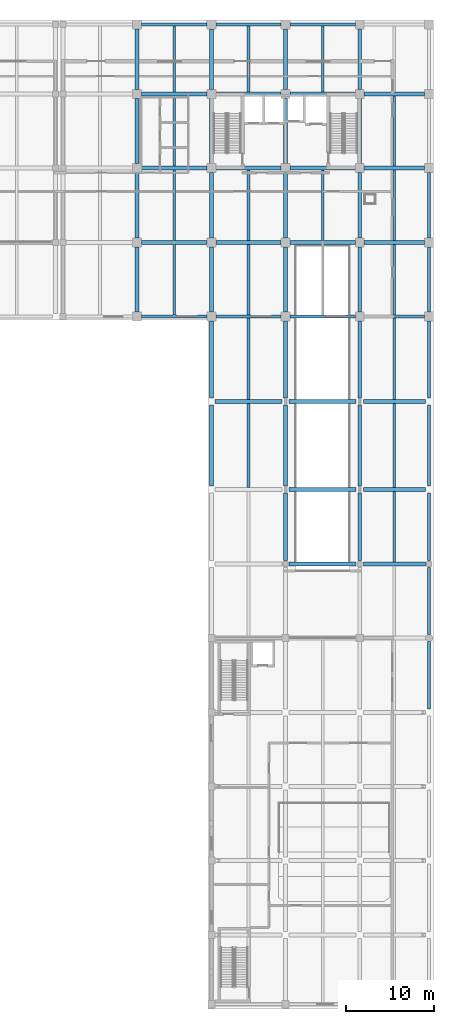
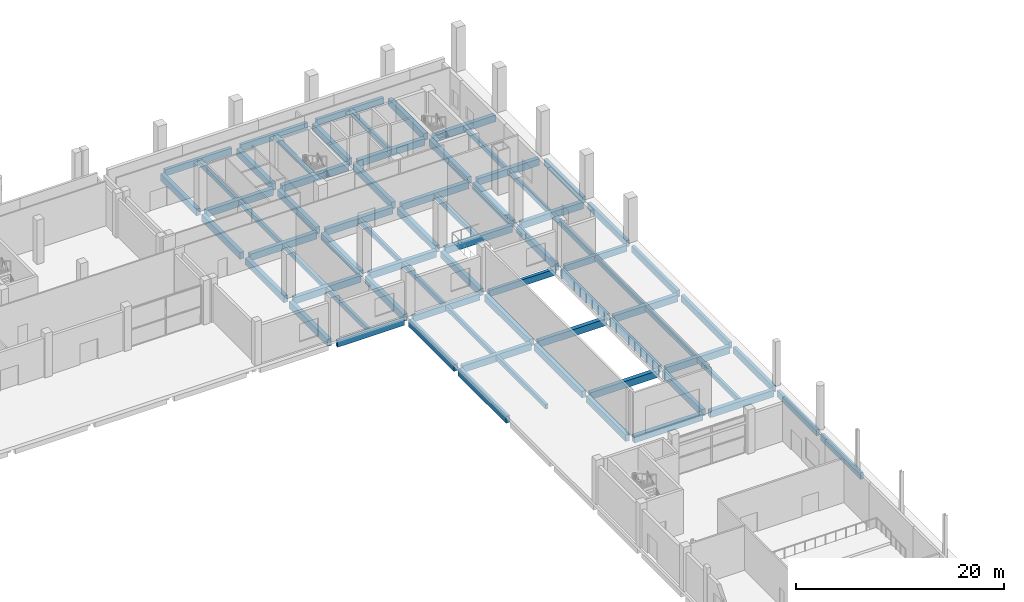
# One storey, part 17 of 34: 74 beams.
"""IFC4 building model written with IfcOpenShell, lengths in metres."""

from ifc_helpers import new_model, si_unit, direction, frame, origin, origin_2d, place, context, subcontext, project, spatial, rectangle, extrude, material, material_profile, profile_set, type_object, element, save


model = new_model("IFC4")

# Units and contexts
model_context = context("Model", 3, precision=1e-05, world=origin(), true_north=direction((0.0, 1.0)))
body_context = subcontext(model_context, "Body", "Model", "MODEL_VIEW")
ifc_project = project(units=[si_unit("LENGTHUNIT", "METRE"), si_unit("AREAUNIT", "SQUARE_METRE"), si_unit("VOLUMEUNIT", "CUBIC_METRE"), si_unit("PLANEANGLEUNIT", "RADIAN"), si_unit("MASSUNIT", "GRAM", prefix="KILO")], contexts=[model_context])

# Site, building, storey
site_placement = place(None, origin())
site = spatial("IfcSite", under=ifc_project, at=site_placement, CompositionType="ELEMENT")
building_placement = place(site_placement, origin())
building = spatial("IfcBuilding", under=site, at=building_placement, Name="Brinegate Botanical Conservatory", CompositionType="ELEMENT")
storey_placement = place(building_placement, origin())
storey = spatial("IfcBuildingStorey", under=building, at=storey_placement, Name="L01", CompositionType="ELEMENT", Elevation=0.0)

# Beams
ifc_material = material(Name="Concrete C40/50", Category="concrete")
ifc_material_profile_1 = material_profile(ifc_material, rectangle(XDim=0.449951171875, YDim=0.800048828125, at=origin_2d()), Name="RC BM 450x800")
ifc_profile_set_1 = profile_set([ifc_material_profile_1], Name="Concrete C40/50")
beam_type_1 = type_object("IfcBeamType", Name="Beam_BM-G1", PredefinedType="BEAM", material=ifc_profile_set_1)
beam_1_placement = place(storey_placement, frame((147.60009765625, 50.39990234375, -0.804931640625), z_axis=(1.0, 0.0, 0.0), x_axis=(0.0, 1.0, 0.0)))
element("IfcBeam", 1, at=beam_1_placement, inside=storey, type_object=beam_type_1, Name="Beam BM-G1 L01 G:19-20", PredefinedType="BEAM", context=body_context, shape_type="SweptSolid", body=[
    extrude(rectangle(XDim=0.449951171875, YDim=0.800048828125, at=origin_2d()), origin(), (0.0, 0.0, 1.0), 7.599853515625),
])
beam_2_placement = place(storey_placement, frame((156.0, 50.39990234375, -0.804931640625), z_axis=(1.0, 0.0, 0.0), x_axis=(0.0, 1.0, 0.0)))
element("IfcBeam", 2, at=beam_2_placement, inside=storey, type_object=beam_type_1, Name="Beam BM-G1 L01 G:20-21", PredefinedType="BEAM", context=body_context, shape_type="SweptSolid", body=[
    extrude(rectangle(XDim=0.449951171875, YDim=0.800048828125, at=origin_2d()), origin(), (0.0, 0.0, 1.0), 7.050048828125),
])
beam_3_placement = place(storey_placement, frame((147.60009765625, 58.800048828125, -0.804931640625), z_axis=(1.0, 0.0, 0.0), x_axis=(0.0, 1.0, 0.0)))
element("IfcBeam", 3, at=beam_3_placement, inside=storey, type_object=beam_type_1, Name="Beam BM-G1 L01 H:19-20", PredefinedType="BEAM", context=body_context, shape_type="SweptSolid", body=[
    extrude(rectangle(XDim=0.449951171875, YDim=0.800048828125, at=origin_2d()), origin(), (0.0, 0.0, 1.0), 7.599853515625),
])
beam_4_placement = place(storey_placement, frame((156.0, 58.800048828125, -0.804931640625), z_axis=(1.0, 0.0, 0.0), x_axis=(0.0, 1.0, 0.0)))
element("IfcBeam", 4, at=beam_4_placement, inside=storey, type_object=beam_type_1, Name="Beam BM-G1 L01 H:20-21", PredefinedType="BEAM", context=body_context, shape_type="SweptSolid", body=[
    extrude(rectangle(XDim=0.449951171875, YDim=0.800048828125, at=origin_2d()), origin(), (0.0, 0.0, 1.0), 7.050048828125),
])
beam_5_placement = place(storey_placement, frame((139.199951171875, 68.800048828125, -0.804931640625), z_axis=(1.0, 0.0, 0.0), x_axis=(0.0, 1.0, 0.0)))
element("IfcBeam", 5, at=beam_5_placement, inside=storey, type_object=beam_type_1, Name="Beam BM-G1 L01 J:18-19", PredefinedType="BEAM", context=body_context, shape_type="SweptSolid", body=[
    extrude(rectangle(XDim=0.449951171875, YDim=0.800048828125, at=origin_2d()), origin(), (0.0, 0.0, 1.0), 7.60009765625),
])
beam_6_placement = place(storey_placement, frame((147.60009765625, 68.800048828125, -0.804931640625), z_axis=(1.0, 0.0, 0.0), x_axis=(0.0, 1.0, 0.0)))
element("IfcBeam", 6, at=beam_6_placement, inside=storey, type_object=beam_type_1, Name="Beam BM-G1 L01 J:19-20", PredefinedType="BEAM", context=body_context, shape_type="SweptSolid", body=[
    extrude(rectangle(XDim=0.449951171875, YDim=0.800048828125, at=origin_2d()), origin(), (0.0, 0.0, 1.0), 7.599853515625),
])
beam_7_placement = place(storey_placement, frame((156.0, 68.800048828125, -0.804931640625), z_axis=(1.0, 0.0, 0.0), x_axis=(0.0, 1.0, 0.0)))
element("IfcBeam", 7, at=beam_7_placement, inside=storey, type_object=beam_type_1, Name="Beam BM-G1 L01 J:20-21", PredefinedType="BEAM", context=body_context, shape_type="SweptSolid", body=[
    extrude(rectangle(XDim=0.449951171875, YDim=0.800048828125, at=origin_2d()), origin(), (0.0, 0.0, 1.0), 7.050048828125),
])
beam_8_placement = place(storey_placement, frame((130.89990234375, 86.800048828125, -0.804931640625), z_axis=(1.0, 0.0, 0.0), x_axis=(0.0, 1.0, 0.0)))
element("IfcBeam", 8, at=beam_8_placement, inside=storey, type_object=beam_type_1, Name="Beam BM-G1 L01 L:17-18", PredefinedType="BEAM", context=body_context, shape_type="SweptSolid", body=[
    extrude(rectangle(XDim=0.449951171875, YDim=0.800048828125, at=origin_2d()), origin(), (0.0, 0.0, 1.0), 7.400146484375),
])
beam_9_placement = place(storey_placement, frame((139.300048828125, 86.800048828125, -0.804931640625), z_axis=(1.0, 0.0, 0.0), x_axis=(0.0, 1.0, 0.0)))
element("IfcBeam", 9, at=beam_9_placement, inside=storey, type_object=beam_type_1, Name="Beam BM-G1 L01 L:18-19", PredefinedType="BEAM", context=body_context, shape_type="SweptSolid", body=[
    extrude(rectangle(XDim=0.449951171875, YDim=0.800048828125, at=origin_2d()), origin(), (0.0, 0.0, 1.0), 7.39990234375),
])
beam_10_placement = place(storey_placement, frame((147.699951171875, 86.800048828125, -0.804931640625), z_axis=(1.0, 0.0, 0.0), x_axis=(0.0, 1.0, 0.0)))
element("IfcBeam", 10, at=beam_10_placement, inside=storey, type_object=beam_type_1, Name="Beam BM-G1 L01 L:19-20", PredefinedType="BEAM", context=body_context, shape_type="SweptSolid", body=[
    extrude(rectangle(XDim=0.449951171875, YDim=0.800048828125, at=origin_2d()), origin(), (0.0, 0.0, 1.0), 7.400146484375),
])
beam_11_placement = place(storey_placement, frame((156.10009765625, 86.800048828125, -0.804931640625), z_axis=(1.0, 0.0, 0.0), x_axis=(0.0, 1.0, 0.0)))
element("IfcBeam", 11, at=beam_11_placement, inside=storey, type_object=beam_type_1, Name="Beam BM-G1 L01 L:20-21", PredefinedType="BEAM", context=body_context, shape_type="SweptSolid", body=[
    extrude(rectangle(XDim=0.449951171875, YDim=0.800048828125, at=origin_2d()), origin(), (0.0, 0.0, 1.0), 6.849853515625),
])
beam_12_placement = place(storey_placement, frame((130.89990234375, 95.199951171875, -0.804931640625), z_axis=(1.0, 0.0, 0.0), x_axis=(0.0, 1.0, 0.0)))
element("IfcBeam", 12, at=beam_12_placement, inside=storey, type_object=beam_type_1, Name="Beam BM-G1 L01 M:17-18", PredefinedType="BEAM", context=body_context, shape_type="SweptSolid", body=[
    extrude(rectangle(XDim=0.449951171875, YDim=0.800048828125, at=origin_2d()), origin(), (0.0, 0.0, 1.0), 7.400146484375),
])
beam_13_placement = place(storey_placement, frame((139.300048828125, 95.199951171875, -0.804931640625), z_axis=(1.0, 0.0, 0.0), x_axis=(0.0, 1.0, 0.0)))
element("IfcBeam", 13, at=beam_13_placement, inside=storey, type_object=beam_type_1, Name="Beam BM-G1 L01 M:18-19", PredefinedType="BEAM", context=body_context, shape_type="SweptSolid", body=[
    extrude(rectangle(XDim=0.449951171875, YDim=0.800048828125, at=origin_2d()), origin(), (0.0, 0.0, 1.0), 7.39990234375),
])
beam_14_placement = place(storey_placement, frame((147.699951171875, 95.199951171875, -0.804931640625), z_axis=(1.0, 0.0, 0.0), x_axis=(0.0, 1.0, 0.0)))
element("IfcBeam", 14, at=beam_14_placement, inside=storey, type_object=beam_type_1, Name="Beam BM-G1 L01 M:19-20", PredefinedType="BEAM", context=body_context, shape_type="SweptSolid", body=[
    extrude(rectangle(XDim=0.449951171875, YDim=0.800048828125, at=origin_2d()), origin(), (0.0, 0.0, 1.0), 7.400146484375),
])
beam_15_placement = place(storey_placement, frame((156.10009765625, 95.199951171875, -0.804931640625), z_axis=(1.0, 0.0, 0.0), x_axis=(0.0, 1.0, 0.0)))
element("IfcBeam", 15, at=beam_15_placement, inside=storey, type_object=beam_type_1, Name="Beam BM-G1 L01 M:20-21", PredefinedType="BEAM", context=body_context, shape_type="SweptSolid", body=[
    extrude(rectangle(XDim=0.449951171875, YDim=0.800048828125, at=origin_2d()), origin(), (0.0, 0.0, 1.0), 6.849853515625),
])
beam_16_placement = place(storey_placement, frame((130.89990234375, 103.60009765625, -0.804931640625), z_axis=(1.0, 0.0, 0.0), x_axis=(0.0, 1.0, 0.0)))
element("IfcBeam", 16, at=beam_16_placement, inside=storey, type_object=beam_type_1, Name="Beam BM-G1 L01 N:17-18", PredefinedType="BEAM", context=body_context, shape_type="SweptSolid", body=[
    extrude(rectangle(XDim=0.449951171875, YDim=0.800048828125, at=origin_2d()), origin(), (0.0, 0.0, 1.0), 7.400146484375),
])
beam_17_placement = place(storey_placement, frame((139.300048828125, 103.60009765625, -0.804931640625), z_axis=(1.0, 0.0, 0.0), x_axis=(0.0, 1.0, 0.0)))
element("IfcBeam", 17, at=beam_17_placement, inside=storey, type_object=beam_type_1, Name="Beam BM-G1 L01 N:18-19", PredefinedType="BEAM", context=body_context, shape_type="SweptSolid", body=[
    extrude(rectangle(XDim=0.449951171875, YDim=0.800048828125, at=origin_2d()), origin(), (0.0, 0.0, 1.0), 7.39990234375),
])
beam_18_placement = place(storey_placement, frame((147.699951171875, 103.60009765625, -0.804931640625), z_axis=(1.0, 0.0, 0.0), x_axis=(0.0, 1.0, 0.0)))
element("IfcBeam", 18, at=beam_18_placement, inside=storey, type_object=beam_type_1, Name="Beam BM-G1 L01 N:19-20", PredefinedType="BEAM", context=body_context, shape_type="SweptSolid", body=[
    extrude(rectangle(XDim=0.449951171875, YDim=0.800048828125, at=origin_2d()), origin(), (0.0, 0.0, 1.0), 7.400146484375),
])
beam_19_placement = place(storey_placement, frame((156.10009765625, 103.60009765625, -0.804931640625), z_axis=(1.0, 0.0, 0.0), x_axis=(0.0, 1.0, 0.0)))
element("IfcBeam", 19, at=beam_19_placement, inside=storey, type_object=beam_type_1, Name="Beam BM-G1 L01 N:20-21", PredefinedType="BEAM", context=body_context, shape_type="SweptSolid", body=[
    extrude(rectangle(XDim=0.449951171875, YDim=0.800048828125, at=origin_2d()), origin(), (0.0, 0.0, 1.0), 6.849853515625),
])
beam_20_placement = place(storey_placement, frame((130.39990234375, 78.89990234375, -0.804931640625), z_axis=(0.0, 1.0, 0.0), x_axis=(-1.0, 0.0, 0.0)))
element("IfcBeam", 20, at=beam_20_placement, inside=storey, type_object=beam_type_1, Name="Beam BM-G1 L01 17:K-L", PredefinedType="BEAM", context=body_context, shape_type="SweptSolid", body=[
    extrude(rectangle(XDim=0.449951171875, YDim=0.800048828125, at=origin_2d()), origin(), (0.0, 0.0, 1.0), 7.400146484375),
])
beam_21_placement = place(storey_placement, frame((130.39990234375, 87.300048828125, -0.804931640625), z_axis=(0.0, 1.0, 0.0), x_axis=(-1.0, 0.0, 0.0)))
element("IfcBeam", 21, at=beam_21_placement, inside=storey, type_object=beam_type_1, Name="Beam BM-G1 L01 17:L-M", PredefinedType="BEAM", context=body_context, shape_type="SweptSolid", body=[
    extrude(rectangle(XDim=0.449951171875, YDim=0.800048828125, at=origin_2d()), origin(), (0.0, 0.0, 1.0), 7.39990234375),
])
beam_22_placement = place(storey_placement, frame((130.39990234375, 95.699951171875, -0.804931640625), z_axis=(0.0, 1.0, 0.0), x_axis=(-1.0, 0.0, 0.0)))
element("IfcBeam", 22, at=beam_22_placement, inside=storey, type_object=beam_type_1, Name="Beam BM-G1 L01 17:M-N", PredefinedType="BEAM", context=body_context, shape_type="SweptSolid", body=[
    extrude(rectangle(XDim=0.449951171875, YDim=0.800048828125, at=origin_2d()), origin(), (0.0, 0.0, 1.0), 7.400146484375),
])
beam_23_placement = place(storey_placement, frame((130.39990234375, 104.10009765625, -0.804931640625), z_axis=(0.0, 1.0, 0.0), x_axis=(-1.0, 0.0, 0.0)))
element("IfcBeam", 23, at=beam_23_placement, inside=storey, type_object=beam_type_1, Name="Beam BM-G1 L01 17:N-P", PredefinedType="BEAM", context=body_context, shape_type="SweptSolid", body=[
    extrude(rectangle(XDim=0.449951171875, YDim=0.800048828125, at=origin_2d()), origin(), (0.0, 0.0, 1.0), 6.849853515625),
])
beam_24_placement = place(storey_placement, frame((138.800048828125, 59.199951171875, -0.804931640625), z_axis=(0.0, 1.0, 0.0), x_axis=(-1.0, 0.0, 0.0)))
element("IfcBeam", 24, at=beam_24_placement, inside=storey, type_object=beam_type_1, Name="Beam BM-G1 L01 18:H-J", PredefinedType="BEAM", context=body_context, shape_type="SweptSolid", body=[
    extrude(rectangle(XDim=0.449951171875, YDim=0.800048828125, at=origin_2d()), origin(), (0.0, 0.0, 1.0), 9.199951171875),
])
beam_25_placement = place(storey_placement, frame((138.800048828125, 69.199951171875, -0.804931640625), z_axis=(0.0, 1.0, 0.0), x_axis=(-1.0, 0.0, 0.0)))
element("IfcBeam", 25, at=beam_25_placement, inside=storey, type_object=beam_type_1, Name="Beam BM-G1 L01 18:J-K", PredefinedType="BEAM", context=body_context, shape_type="SweptSolid", body=[
    extrude(rectangle(XDim=0.449951171875, YDim=0.800048828125, at=origin_2d()), origin(), (0.0, 0.0, 1.0), 8.699951171875),
])
beam_26_placement = place(storey_placement, frame((138.800048828125, 78.89990234375, -0.804931640625), z_axis=(0.0, 1.0, 0.0), x_axis=(-1.0, 0.0, 0.0)))
element("IfcBeam", 26, at=beam_26_placement, inside=storey, type_object=beam_type_1, Name="Beam BM-G1 L01 18:K-L", PredefinedType="BEAM", context=body_context, shape_type="SweptSolid", body=[
    extrude(rectangle(XDim=0.449951171875, YDim=0.800048828125, at=origin_2d()), origin(), (0.0, 0.0, 1.0), 7.400146484375),
])
beam_27_placement = place(storey_placement, frame((138.800048828125, 87.300048828125, -0.804931640625), z_axis=(0.0, 1.0, 0.0), x_axis=(-1.0, 0.0, 0.0)))
element("IfcBeam", 27, at=beam_27_placement, inside=storey, type_object=beam_type_1, Name="Beam BM-G1 L01 18:L-M", PredefinedType="BEAM", context=body_context, shape_type="SweptSolid", body=[
    extrude(rectangle(XDim=0.449951171875, YDim=0.800048828125, at=origin_2d()), origin(), (0.0, 0.0, 1.0), 7.39990234375),
])
beam_28_placement = place(storey_placement, frame((138.800048828125, 95.699951171875, -0.804931640625), z_axis=(0.0, 1.0, 0.0), x_axis=(-1.0, 0.0, 0.0)))
element("IfcBeam", 28, at=beam_28_placement, inside=storey, type_object=beam_type_1, Name="Beam BM-G1 L01 18:M-N", PredefinedType="BEAM", context=body_context, shape_type="SweptSolid", body=[
    extrude(rectangle(XDim=0.449951171875, YDim=0.800048828125, at=origin_2d()), origin(), (0.0, 0.0, 1.0), 7.400146484375),
])
beam_29_placement = place(storey_placement, frame((138.800048828125, 104.10009765625, -0.804931640625), z_axis=(0.0, 1.0, 0.0), x_axis=(-1.0, 0.0, 0.0)))
element("IfcBeam", 29, at=beam_29_placement, inside=storey, type_object=beam_type_1, Name="Beam BM-G1 L01 18:N-P", PredefinedType="BEAM", context=body_context, shape_type="SweptSolid", body=[
    extrude(rectangle(XDim=0.449951171875, YDim=0.800048828125, at=origin_2d()), origin(), (0.0, 0.0, 1.0), 6.849853515625),
])
beam_30_placement = place(storey_placement, frame((147.199951171875, 50.800048828125, -0.804931640625), z_axis=(0.0, 1.0, 0.0), x_axis=(-1.0, 0.0, 0.0)))
element("IfcBeam", 30, at=beam_30_placement, inside=storey, type_object=beam_type_1, Name="Beam BM-G1 L01 19:G-H", PredefinedType="BEAM", context=body_context, shape_type="SweptSolid", body=[
    extrude(rectangle(XDim=0.449951171875, YDim=0.800048828125, at=origin_2d()), origin(), (0.0, 0.0, 1.0), 7.599853515625),
])
beam_31_placement = place(storey_placement, frame((147.199951171875, 59.199951171875, -0.804931640625), z_axis=(0.0, 1.0, 0.0), x_axis=(-1.0, 0.0, 0.0)))
element("IfcBeam", 31, at=beam_31_placement, inside=storey, type_object=beam_type_1, Name="Beam BM-G1 L01 19:H-J", PredefinedType="BEAM", context=body_context, shape_type="SweptSolid", body=[
    extrude(rectangle(XDim=0.449951171875, YDim=0.800048828125, at=origin_2d()), origin(), (0.0, 0.0, 1.0), 9.199951171875),
])
beam_32_placement = place(storey_placement, frame((147.199951171875, 69.199951171875, -0.804931640625), z_axis=(0.0, 1.0, 0.0), x_axis=(-1.0, 0.0, 0.0)))
element("IfcBeam", 32, at=beam_32_placement, inside=storey, type_object=beam_type_1, Name="Beam BM-G1 L01 19:J-K", PredefinedType="BEAM", context=body_context, shape_type="SweptSolid", body=[
    extrude(rectangle(XDim=0.449951171875, YDim=0.800048828125, at=origin_2d()), origin(), (0.0, 0.0, 1.0), 8.699951171875),
])
beam_33_placement = place(storey_placement, frame((147.199951171875, 78.89990234375, -0.804931640625), z_axis=(0.0, 1.0, 0.0), x_axis=(-1.0, 0.0, 0.0)))
element("IfcBeam", 33, at=beam_33_placement, inside=storey, type_object=beam_type_1, Name="Beam BM-G1 L01 19:K-L", PredefinedType="BEAM", context=body_context, shape_type="SweptSolid", body=[
    extrude(rectangle(XDim=0.449951171875, YDim=0.800048828125, at=origin_2d()), origin(), (0.0, 0.0, 1.0), 7.400146484375),
])
beam_34_placement = place(storey_placement, frame((147.199951171875, 87.300048828125, -0.804931640625), z_axis=(0.0, 1.0, 0.0), x_axis=(-1.0, 0.0, 0.0)))
element("IfcBeam", 34, at=beam_34_placement, inside=storey, type_object=beam_type_1, Name="Beam BM-G1 L01 19:L-M", PredefinedType="BEAM", context=body_context, shape_type="SweptSolid", body=[
    extrude(rectangle(XDim=0.449951171875, YDim=0.800048828125, at=origin_2d()), origin(), (0.0, 0.0, 1.0), 7.39990234375),
])
beam_35_placement = place(storey_placement, frame((147.199951171875, 95.699951171875, -0.804931640625), z_axis=(0.0, 1.0, 0.0), x_axis=(-1.0, 0.0, 0.0)))
element("IfcBeam", 35, at=beam_35_placement, inside=storey, type_object=beam_type_1, Name="Beam BM-G1 L01 19:M-N", PredefinedType="BEAM", context=body_context, shape_type="SweptSolid", body=[
    extrude(rectangle(XDim=0.449951171875, YDim=0.800048828125, at=origin_2d()), origin(), (0.0, 0.0, 1.0), 7.400146484375),
])
beam_36_placement = place(storey_placement, frame((147.199951171875, 104.10009765625, -0.804931640625), z_axis=(0.0, 1.0, 0.0), x_axis=(-1.0, 0.0, 0.0)))
element("IfcBeam", 36, at=beam_36_placement, inside=storey, type_object=beam_type_1, Name="Beam BM-G1 L01 19:N-P", PredefinedType="BEAM", context=body_context, shape_type="SweptSolid", body=[
    extrude(rectangle(XDim=0.449951171875, YDim=0.800048828125, at=origin_2d()), origin(), (0.0, 0.0, 1.0), 6.849853515625),
])
beam_37_placement = place(storey_placement, frame((155.60009765625, 50.800048828125, -0.804931640625), z_axis=(0.0, 1.0, 0.0), x_axis=(-1.0, 0.0, 0.0)))
element("IfcBeam", 37, at=beam_37_placement, inside=storey, type_object=beam_type_1, Name="Beam BM-G1 L01 20:G-H", PredefinedType="BEAM", context=body_context, shape_type="SweptSolid", body=[
    extrude(rectangle(XDim=0.449951171875, YDim=0.800048828125, at=origin_2d()), origin(), (0.0, 0.0, 1.0), 7.599853515625),
])
beam_38_placement = place(storey_placement, frame((155.60009765625, 59.199951171875, -0.804931640625), z_axis=(0.0, 1.0, 0.0), x_axis=(-1.0, 0.0, 0.0)))
element("IfcBeam", 38, at=beam_38_placement, inside=storey, type_object=beam_type_1, Name="Beam BM-G1 L01 20:H-J", PredefinedType="BEAM", context=body_context, shape_type="SweptSolid", body=[
    extrude(rectangle(XDim=0.449951171875, YDim=0.800048828125, at=origin_2d()), origin(), (0.0, 0.0, 1.0), 9.199951171875),
])
beam_39_placement = place(storey_placement, frame((155.60009765625, 69.199951171875, -0.804931640625), z_axis=(0.0, 1.0, 0.0), x_axis=(-1.0, 0.0, 0.0)))
element("IfcBeam", 39, at=beam_39_placement, inside=storey, type_object=beam_type_1, Name="Beam BM-G1 L01 20:J-K", PredefinedType="BEAM", context=body_context, shape_type="SweptSolid", body=[
    extrude(rectangle(XDim=0.449951171875, YDim=0.800048828125, at=origin_2d()), origin(), (0.0, 0.0, 1.0), 8.699951171875),
])
beam_40_placement = place(storey_placement, frame((155.60009765625, 78.89990234375, -0.804931640625), z_axis=(0.0, 1.0, 0.0), x_axis=(-1.0, 0.0, 0.0)))
element("IfcBeam", 40, at=beam_40_placement, inside=storey, type_object=beam_type_1, Name="Beam BM-G1 L01 20:K-L", PredefinedType="BEAM", context=body_context, shape_type="SweptSolid", body=[
    extrude(rectangle(XDim=0.449951171875, YDim=0.800048828125, at=origin_2d()), origin(), (0.0, 0.0, 1.0), 7.400146484375),
])
beam_41_placement = place(storey_placement, frame((155.60009765625, 87.300048828125, -0.804931640625), z_axis=(0.0, 1.0, 0.0), x_axis=(-1.0, 0.0, 0.0)))
element("IfcBeam", 41, at=beam_41_placement, inside=storey, type_object=beam_type_1, Name="Beam BM-G1 L01 20:L-M", PredefinedType="BEAM", context=body_context, shape_type="SweptSolid", body=[
    extrude(rectangle(XDim=0.449951171875, YDim=0.800048828125, at=origin_2d()), origin(), (0.0, 0.0, 1.0), 7.39990234375),
])
beam_42_placement = place(storey_placement, frame((155.60009765625, 95.699951171875, -0.804931640625), z_axis=(0.0, 1.0, 0.0), x_axis=(-1.0, 0.0, 0.0)))
element("IfcBeam", 42, at=beam_42_placement, inside=storey, type_object=beam_type_1, Name="Beam BM-G1 L01 20:M-N", PredefinedType="BEAM", context=body_context, shape_type="SweptSolid", body=[
    extrude(rectangle(XDim=0.449951171875, YDim=0.800048828125, at=origin_2d()), origin(), (0.0, 0.0, 1.0), 7.400146484375),
])
beam_43_placement = place(storey_placement, frame((155.60009765625, 104.10009765625, -0.804931640625), z_axis=(0.0, 1.0, 0.0), x_axis=(-1.0, 0.0, 0.0)))
element("IfcBeam", 43, at=beam_43_placement, inside=storey, type_object=beam_type_1, Name="Beam BM-G1 L01 20:N-P", PredefinedType="BEAM", context=body_context, shape_type="SweptSolid", body=[
    extrude(rectangle(XDim=0.449951171875, YDim=0.800048828125, at=origin_2d()), origin(), (0.0, 0.0, 1.0), 6.849853515625),
])
ifc_material_profile_2 = material_profile(ifc_material, rectangle(XDim=0.300048828125, YDim=0.550048828125, at=origin_2d()), Name="RC JST 300x550")
ifc_profile_set_2 = profile_set([ifc_material_profile_2], Name="Concrete C40/50")
beam_type_2 = type_object("IfcBeamType", Name="Beam_JS-C1", PredefinedType="JOIST", material=ifc_profile_set_2)
beam_44_placement = place(storey_placement, frame((134.60009765625, 78.574951171875, -0.679931640625), z_axis=(0.0, 1.0, 0.0), x_axis=(-1.0, 0.0, 0.0)))
element("IfcBeam", 44, at=beam_44_placement, inside=storey, type_object=beam_type_2, Name="Floor joist JS-C1 L01 bay 17.10", PredefinedType="JOIST", context=body_context, shape_type="SweptSolid", body=[
    extrude(rectangle(XDim=0.300048828125, YDim=0.550048828125, at=origin_2d()), origin(), (0.0, 0.0, 1.0), 8.0),
])
beam_45_placement = place(storey_placement, frame((134.60009765625, 87.02490234375, -0.679931640625), z_axis=(0.0, 1.0, 0.0), x_axis=(-1.0, 0.0, 0.0)))
element("IfcBeam", 45, at=beam_45_placement, inside=storey, type_object=beam_type_2, Name="Floor joist JS-C1 L01 bay 17.11", PredefinedType="JOIST", context=body_context, shape_type="SweptSolid", body=[
    extrude(rectangle(XDim=0.300048828125, YDim=0.550048828125, at=origin_2d()), origin(), (0.0, 0.0, 1.0), 7.9501953125),
])
beam_46_placement = place(storey_placement, frame((134.60009765625, 95.425048828125, -0.679931640625), z_axis=(0.0, 1.0, 0.0), x_axis=(-1.0, 0.0, 0.0)))
element("IfcBeam", 46, at=beam_46_placement, inside=storey, type_object=beam_type_2, Name="Floor joist JS-C1 L01 bay 17.12", PredefinedType="JOIST", context=body_context, shape_type="SweptSolid", body=[
    extrude(rectangle(XDim=0.300048828125, YDim=0.550048828125, at=origin_2d()), origin(), (0.0, 0.0, 1.0), 7.949951171875),
])
beam_47_placement = place(storey_placement, frame((134.60009765625, 103.824951171875, -0.679931640625), z_axis=(0.0, 1.0, 0.0), x_axis=(-1.0, 0.0, 0.0)))
element("IfcBeam", 47, at=beam_47_placement, inside=storey, type_object=beam_type_2, Name="Floor joist JS-C1 L01 bay 17.13", PredefinedType="JOIST", context=body_context, shape_type="SweptSolid", body=[
    extrude(rectangle(XDim=0.300048828125, YDim=0.550048828125, at=origin_2d()), origin(), (0.0, 0.0, 1.0), 7.449951171875),
])
beam_48_placement = place(storey_placement, frame((143.0, 59.02490234375, -0.679931640625), z_axis=(0.0, 1.0, 0.0), x_axis=(-1.0, 0.0, 0.0)))
element("IfcBeam", 48, at=beam_48_placement, inside=storey, type_object=beam_type_2, Name="Floor joist JS-C1 L01 bay 18.8", PredefinedType="JOIST", context=body_context, shape_type="SweptSolid", body=[
    extrude(rectangle(XDim=0.300048828125, YDim=0.550048828125, at=origin_2d()), origin(), (0.0, 0.0, 1.0), 9.550048828125),
])
beam_49_placement = place(storey_placement, frame((143.0, 69.02490234375, -0.679931640625), z_axis=(0.0, 1.0, 0.0), x_axis=(-1.0, 0.0, 0.0)))
element("IfcBeam", 49, at=beam_49_placement, inside=storey, type_object=beam_type_2, Name="Floor joist JS-C1 L01 bay 18.9", PredefinedType="JOIST", context=body_context, shape_type="SweptSolid", body=[
    extrude(rectangle(XDim=0.300048828125, YDim=0.550048828125, at=origin_2d()), origin(), (0.0, 0.0, 1.0), 9.2001953125),
])
beam_50_placement = place(storey_placement, frame((143.0, 78.574951171875, -0.679931640625), z_axis=(0.0, 1.0, 0.0), x_axis=(-1.0, 0.0, 0.0)))
element("IfcBeam", 50, at=beam_50_placement, inside=storey, type_object=beam_type_2, Name="Floor joist JS-C1 L01 bay 18.10", PredefinedType="JOIST", context=body_context, shape_type="SweptSolid", body=[
    extrude(rectangle(XDim=0.300048828125, YDim=0.550048828125, at=origin_2d()), origin(), (0.0, 0.0, 1.0), 8.0),
])
beam_51_placement = place(storey_placement, frame((143.0, 87.02490234375, -0.679931640625), z_axis=(0.0, 1.0, 0.0), x_axis=(-1.0, 0.0, 0.0)))
element("IfcBeam", 51, at=beam_51_placement, inside=storey, type_object=beam_type_2, Name="Floor joist JS-C1 L01 bay 18.11", PredefinedType="JOIST", context=body_context, shape_type="SweptSolid", body=[
    extrude(rectangle(XDim=0.300048828125, YDim=0.550048828125, at=origin_2d()), origin(), (0.0, 0.0, 1.0), 7.9501953125),
])
beam_52_placement = place(storey_placement, frame((143.0, 103.824951171875, -0.679931640625), z_axis=(0.0, 1.0, 0.0), x_axis=(-1.0, 0.0, 0.0)))
element("IfcBeam", 52, at=beam_52_placement, inside=storey, type_object=beam_type_2, Name="Floor joist JS-C1 L01 bay 18.13", PredefinedType="JOIST", context=body_context, shape_type="SweptSolid", body=[
    extrude(rectangle(XDim=0.300048828125, YDim=0.550048828125, at=origin_2d()), origin(), (0.0, 0.0, 1.0), 7.449951171875),
])
beam_53_placement = place(storey_placement, frame((151.39990234375, 87.02490234375, -0.679931640625), z_axis=(0.0, 1.0, 0.0), x_axis=(-1.0, 0.0, 0.0)))
element("IfcBeam", 53, at=beam_53_placement, inside=storey, type_object=beam_type_2, Name="Floor joist JS-C1 L01 bay 19.11", PredefinedType="JOIST", context=body_context, shape_type="SweptSolid", body=[
    extrude(rectangle(XDim=0.300048828125, YDim=0.550048828125, at=origin_2d()), origin(), (0.0, 0.0, 1.0), 7.9501953125),
])
beam_54_placement = place(storey_placement, frame((151.39990234375, 103.824951171875, -0.679931640625), z_axis=(0.0, 1.0, 0.0), x_axis=(-1.0, 0.0, 0.0)))
element("IfcBeam", 54, at=beam_54_placement, inside=storey, type_object=beam_type_2, Name="Floor joist JS-C1 L01 bay 19.13", PredefinedType="JOIST", context=body_context, shape_type="SweptSolid", body=[
    extrude(rectangle(XDim=0.300048828125, YDim=0.550048828125, at=origin_2d()), origin(), (0.0, 0.0, 1.0), 7.449951171875),
])
beam_55_placement = place(storey_placement, frame((159.52490234375, 50.625, -0.679931640625), z_axis=(0.0, 1.0, 0.0), x_axis=(-1.0, 0.0, 0.0)))
element("IfcBeam", 55, at=beam_55_placement, inside=storey, type_object=beam_type_2, Name="Floor joist JS-C1 L01 bay 20.7", PredefinedType="JOIST", context=body_context, shape_type="SweptSolid", body=[
    extrude(rectangle(XDim=0.300048828125, YDim=0.550048828125, at=origin_2d()), origin(), (0.0, 0.0, 1.0), 7.949951171875),
])
beam_56_placement = place(storey_placement, frame((159.52490234375, 59.02490234375, -0.679931640625), z_axis=(0.0, 1.0, 0.0), x_axis=(-1.0, 0.0, 0.0)))
element("IfcBeam", 56, at=beam_56_placement, inside=storey, type_object=beam_type_2, Name="Floor joist JS-C1 L01 bay 20.8", PredefinedType="JOIST", context=body_context, shape_type="SweptSolid", body=[
    extrude(rectangle(XDim=0.300048828125, YDim=0.550048828125, at=origin_2d()), origin(), (0.0, 0.0, 1.0), 9.550048828125),
])
beam_57_placement = place(storey_placement, frame((159.52490234375, 69.02490234375, -0.679931640625), z_axis=(0.0, 1.0, 0.0), x_axis=(-1.0, 0.0, 0.0)))
element("IfcBeam", 57, at=beam_57_placement, inside=storey, type_object=beam_type_2, Name="Floor joist JS-C1 L01 bay 20.9", PredefinedType="JOIST", context=body_context, shape_type="SweptSolid", body=[
    extrude(rectangle(XDim=0.300048828125, YDim=0.550048828125, at=origin_2d()), origin(), (0.0, 0.0, 1.0), 9.2001953125),
])
beam_58_placement = place(storey_placement, frame((159.52490234375, 78.574951171875, -0.679931640625), z_axis=(0.0, 1.0, 0.0), x_axis=(-1.0, 0.0, 0.0)))
element("IfcBeam", 58, at=beam_58_placement, inside=storey, type_object=beam_type_2, Name="Floor joist JS-C1 L01 bay 20.10", PredefinedType="JOIST", context=body_context, shape_type="SweptSolid", body=[
    extrude(rectangle(XDim=0.300048828125, YDim=0.550048828125, at=origin_2d()), origin(), (0.0, 0.0, 1.0), 8.0),
])
beam_59_placement = place(storey_placement, frame((159.52490234375, 87.02490234375, -0.679931640625), z_axis=(0.0, 1.0, 0.0), x_axis=(-1.0, 0.0, 0.0)))
element("IfcBeam", 59, at=beam_59_placement, inside=storey, type_object=beam_type_2, Name="Floor joist JS-C1 L01 bay 20.11", PredefinedType="JOIST", context=body_context, shape_type="SweptSolid", body=[
    extrude(rectangle(XDim=0.300048828125, YDim=0.550048828125, at=origin_2d()), origin(), (0.0, 0.0, 1.0), 7.9501953125),
])
beam_60_placement = place(storey_placement, frame((159.52490234375, 95.425048828125, -0.679931640625), z_axis=(0.0, 1.0, 0.0), x_axis=(-1.0, 0.0, 0.0)))
element("IfcBeam", 60, at=beam_60_placement, inside=storey, type_object=beam_type_2, Name="Floor joist JS-C1 L01 bay 20.12", PredefinedType="JOIST", context=body_context, shape_type="SweptSolid", body=[
    extrude(rectangle(XDim=0.300048828125, YDim=0.550048828125, at=origin_2d()), origin(), (0.0, 0.0, 1.0), 7.949951171875),
])
ifc_material_profile_3 = material_profile(ifc_material, rectangle(XDim=0.35009765625, YDim=0.75, at=origin_2d()), Name="RC SPN 350x750")
ifc_profile_set_3 = profile_set([ifc_material_profile_3], Name="Concrete C40/50")
beam_type_3 = type_object("IfcBeamType", Name="Beam_SP-01", PredefinedType="SPANDREL", material=ifc_profile_set_3)
beam_61_placement = place(storey_placement, frame((130.89990234375, 78.39990234375, -0.780029296875), z_axis=(1.0, 0.0, 0.0), x_axis=(0.0, 1.0, 0.0)))
element("IfcBeam", 61, at=beam_61_placement, inside=storey, type_object=beam_type_3, Name="Beam SP-01 L01 K:17-18", PredefinedType="SPANDREL", context=body_context, shape_type="SweptSolid", body=[
    extrude(rectangle(XDim=0.35009765625, YDim=0.75, at=origin_2d()), origin(), (0.0, 0.0, 1.0), 7.400146484375),
])
beam_62_placement = place(storey_placement, frame((139.300048828125, 78.39990234375, -0.780029296875), z_axis=(1.0, 0.0, 0.0), x_axis=(0.0, 1.0, 0.0)))
element("IfcBeam", 62, at=beam_62_placement, inside=storey, type_object=beam_type_3, Name="Beam SP-01 L01 K:18-19", PredefinedType="SPANDREL", context=body_context, shape_type="SweptSolid", body=[
    extrude(rectangle(XDim=0.35009765625, YDim=0.75, at=origin_2d()), origin(), (0.0, 0.0, 1.0), 7.39990234375),
])
beam_63_placement = place(storey_placement, frame((147.699951171875, 78.39990234375, -0.780029296875), z_axis=(1.0, 0.0, 0.0), x_axis=(0.0, 1.0, 0.0)))
element("IfcBeam", 63, at=beam_63_placement, inside=storey, type_object=beam_type_3, Name="Beam SP-01 L01 K:19-20", PredefinedType="SPANDREL", context=body_context, shape_type="SweptSolid", body=[
    extrude(rectangle(XDim=0.35009765625, YDim=0.75, at=origin_2d()), origin(), (0.0, 0.0, 1.0), 7.400146484375),
])
beam_64_placement = place(storey_placement, frame((156.10009765625, 78.39990234375, -0.780029296875), z_axis=(1.0, 0.0, 0.0), x_axis=(0.0, 1.0, 0.0)))
element("IfcBeam", 64, at=beam_64_placement, inside=storey, type_object=beam_type_3, Name="Beam SP-01 L01 K:20-21", PredefinedType="SPANDREL", context=body_context, shape_type="SweptSolid", body=[
    extrude(rectangle(XDim=0.35009765625, YDim=0.75, at=origin_2d()), origin(), (0.0, 0.0, 1.0), 6.849853515625),
])
beam_65_placement = place(storey_placement, frame((130.89990234375, 111.449951171875, -0.780029296875), z_axis=(1.0, 0.0, 0.0), x_axis=(0.0, 1.0, 0.0)))
element("IfcBeam", 65, at=beam_65_placement, inside=storey, type_object=beam_type_3, Name="Beam SP-01 L01 P:17-18", PredefinedType="SPANDREL", context=body_context, shape_type="SweptSolid", body=[
    extrude(rectangle(XDim=0.35009765625, YDim=0.75, at=origin_2d()), origin(), (0.0, 0.0, 1.0), 7.400146484375),
])
beam_66_placement = place(storey_placement, frame((139.300048828125, 111.449951171875, -0.780029296875), z_axis=(1.0, 0.0, 0.0), x_axis=(0.0, 1.0, 0.0)))
element("IfcBeam", 66, at=beam_66_placement, inside=storey, type_object=beam_type_3, Name="Beam SP-01 L01 P:18-19", PredefinedType="SPANDREL", context=body_context, shape_type="SweptSolid", body=[
    extrude(rectangle(XDim=0.35009765625, YDim=0.75, at=origin_2d()), origin(), (0.0, 0.0, 1.0), 7.39990234375),
])
beam_67_placement = place(storey_placement, frame((147.699951171875, 111.449951171875, -0.780029296875), z_axis=(1.0, 0.0, 0.0), x_axis=(0.0, 1.0, 0.0)))
element("IfcBeam", 67, at=beam_67_placement, inside=storey, type_object=beam_type_3, Name="Beam SP-01 L01 P:19-20", PredefinedType="SPANDREL", context=body_context, shape_type="SweptSolid", body=[
    extrude(rectangle(XDim=0.35009765625, YDim=0.75, at=origin_2d()), origin(), (0.0, 0.0, 1.0), 7.400146484375),
])
for number, where, z_axis, x_axis, name in (
    (68, (163.449951171875, 34.0, -0.780029296875), (0.0, 1.0, 0.0), (-1.0, 0.0, 0.0), "Beam SP-01 L01 21:E-F"),
    (69, (163.449951171875, 42.39990234375, -0.780029296875), (0.0, 1.0, 0.0), (-1.0, 0.0, 0.0), "Beam SP-01 L01 21:F-G"),
):
    element("IfcBeam", number, at=place(storey_placement, frame(where, z_axis=z_axis, x_axis=x_axis)), inside=storey, type_object=beam_type_3, Name=name, PredefinedType="SPANDREL", context=body_context, shape_type="SweptSolid", body=[
        extrude(rectangle(XDim=0.35009765625, YDim=0.75, at=origin_2d()), origin(), (0.0, 0.0, 1.0), 7.60009765625),
    ])
beam_68_placement = place(storey_placement, frame((163.449951171875, 50.800048828125, -0.780029296875), z_axis=(0.0, 1.0, 0.0), x_axis=(-1.0, 0.0, 0.0)))
element("IfcBeam", 70, at=beam_68_placement, inside=storey, type_object=beam_type_3, Name="Beam SP-01 L01 21:G-H", PredefinedType="SPANDREL", context=body_context, shape_type="SweptSolid", body=[
    extrude(rectangle(XDim=0.35009765625, YDim=0.75, at=origin_2d()), origin(), (0.0, 0.0, 1.0), 7.599853515625),
])
beam_69_placement = place(storey_placement, frame((163.449951171875, 59.199951171875, -0.780029296875), z_axis=(0.0, 1.0, 0.0), x_axis=(-1.0, 0.0, 0.0)))
element("IfcBeam", 71, at=beam_69_placement, inside=storey, type_object=beam_type_3, Name="Beam SP-01 L01 21:H-J", PredefinedType="SPANDREL", context=body_context, shape_type="SweptSolid", body=[
    extrude(rectangle(XDim=0.35009765625, YDim=0.75, at=origin_2d()), origin(), (0.0, 0.0, 1.0), 9.199951171875),
])
beam_70_placement = place(storey_placement, frame((163.449951171875, 69.199951171875, -0.780029296875), z_axis=(0.0, 1.0, 0.0), x_axis=(-1.0, 0.0, 0.0)))
element("IfcBeam", 72, at=beam_70_placement, inside=storey, type_object=beam_type_3, Name="Beam SP-01 L01 21:J-K", PredefinedType="SPANDREL", context=body_context, shape_type="SweptSolid", body=[
    extrude(rectangle(XDim=0.35009765625, YDim=0.75, at=origin_2d()), origin(), (0.0, 0.0, 1.0), 8.699951171875),
])
beam_71_placement = place(storey_placement, frame((163.449951171875, 78.89990234375, -0.780029296875), z_axis=(0.0, 1.0, 0.0), x_axis=(-1.0, 0.0, 0.0)))
element("IfcBeam", 73, at=beam_71_placement, inside=storey, type_object=beam_type_3, Name="Beam SP-01 L01 21:K-L", PredefinedType="SPANDREL", context=body_context, shape_type="SweptSolid", body=[
    extrude(rectangle(XDim=0.35009765625, YDim=0.75, at=origin_2d()), origin(), (0.0, 0.0, 1.0), 7.400146484375),
])
beam_72_placement = place(storey_placement, frame((163.449951171875, 87.300048828125, -0.780029296875), z_axis=(0.0, 1.0, 0.0), x_axis=(-1.0, 0.0, 0.0)))
element("IfcBeam", 74, at=beam_72_placement, inside=storey, type_object=beam_type_3, Name="Beam SP-01 L01 21:L-M", PredefinedType="SPANDREL", context=body_context, shape_type="SweptSolid", body=[
    extrude(rectangle(XDim=0.35009765625, YDim=0.75, at=origin_2d()), origin(), (0.0, 0.0, 1.0), 7.39990234375),
])

save(model, "model.ifc")
